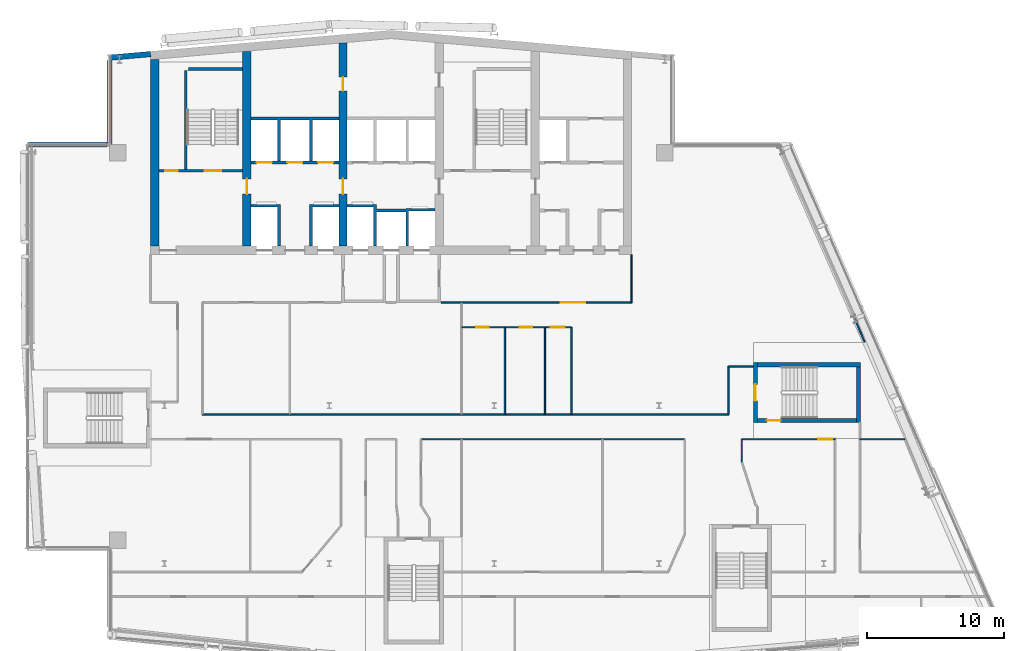
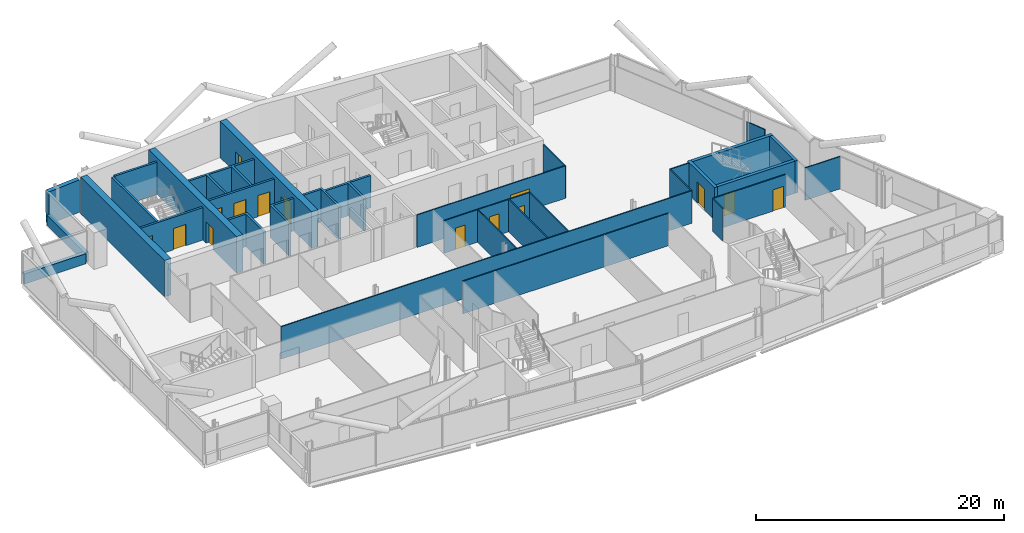
# One storey, part 18 of 27: 32 walls, 15 doors, 15 openings.
"""IFC4 building model written with IfcOpenShell, lengths in metres."""

from ifc_helpers import new_model, si_unit, direction, frame, frame_2d, origin, place, context, subcontext, project, spatial, polyline, rectangle, outline, extrude, material, layer, layer_set, type_object, element, fill, save


model = new_model("IFC4")

# Units and contexts
model_context = context("Model", 3, precision=1e-05, world=origin(), true_north=direction((0.0, 1.0)))
body_context = subcontext(model_context, "Body", "Model", "MODEL_VIEW")
ifc_project = project(units=[si_unit("LENGTHUNIT", "METRE"), si_unit("AREAUNIT", "SQUARE_METRE"), si_unit("VOLUMEUNIT", "CUBIC_METRE"), si_unit("PLANEANGLEUNIT", "RADIAN"), si_unit("MASSUNIT", "GRAM", prefix="KILO")], contexts=[model_context])

# Site, building, storey
site_placement = place(None, origin())
site = spatial("IfcSite", under=ifc_project, at=site_placement, CompositionType="ELEMENT")
building_placement = place(site_placement, origin())
building = spatial("IfcBuilding", under=site, at=building_placement, Name="Wharfspan Tower", CompositionType="ELEMENT")
storey_placement = place(building_placement, frame((0.0, 0.0, 243.100098)))
storey = spatial("IfcBuildingStorey", under=building, at=storey_placement, Name="L61", CompositionType="ELEMENT", Elevation=243.100098)

# Walls
ifc_material_1 = material(Name="Gypsum board on steel studs", Category="steel")
ifc_layer_1 = layer(ifc_material_1, 0.100098)
ifc_layer_set_1 = layer_set([ifc_layer_1], Name="Gypsum board on steel studs")
wall_type_1 = type_object("IfcWallType", Name="Compartment wall 100 EI 60", PredefinedType="PARTITIONING", material=ifc_layer_set_1)
wall_1_placement = place(storey_placement, frame((26.77002, 22.360107, 0.0), z_axis=(0.0, 0.0, 1.0), x_axis=(1.0, 0.0, 0.0)))
element("IfcWall", 1, at=wall_1_placement, inside=storey, type_object=wall_type_1, Name="Partition L61.w012", PredefinedType="PARTITIONING", context=body_context, shape_type="SweptSolid", body=[
    extrude(rectangle(XDim=38.300049, YDim=0.100098, at=frame_2d((19.149902, 0.0))), origin(), (0.0, 0.0, 1.0), 3.199951),
])
wall_2_placement = place(storey_placement, frame((42.679932, 20.554932, 0.0), z_axis=(0.0, 0.0, 1.0), x_axis=(1.0, 0.0, 0.0)))
element("IfcWall", 2, at=wall_2_placement, inside=storey, type_object=wall_type_1, Name="Partition L61.w027", PredefinedType="PARTITIONING", context=body_context, shape_type="SweptSolid", body=[
    extrude(rectangle(XDim=19.190186, YDim=0.100098, at=frame_2d((9.595215, 0.0))), origin(), (0.0, 0.0, 1.0), 3.199951),
])
for number, where, z_axis, x_axis, name in (
    (3, (48.784912, 22.360107, 0.0), (0.0, 0.0, 1.0), (0.0, 1.0, 0.0), "Partition L61.w035"),
    (4, (51.705078, 22.360107, 0.0), (0.0, 0.0, 1.0), (0.0, 1.0, 0.0), "Partition L61.w037"),
    (5, (53.625, 22.360107, 0.0), (0.0, 0.0, 1.0), (0.0, 1.0, 0.0), "Partition L61.w038"),
):
    element("IfcWall", number, at=place(storey_placement, frame(where, z_axis=z_axis, x_axis=x_axis)), inside=storey, type_object=wall_type_1, Name=name, PredefinedType="PARTITIONING", context=body_context, shape_type="SweptSolid", body=[
        extrude(rectangle(XDim=6.339844, YDim=0.100098, at=frame_2d((3.169922, 0.0))), origin(), (0.0, 0.0, 1.0), 3.199951),
    ])
wall_3_placement = place(storey_placement, frame((58.0, 30.5, 0.0), z_axis=(0.0, 0.0, 1.0), x_axis=(0.0, 1.0, 0.0)))
element("IfcWall", 6, at=wall_3_placement, inside=storey, type_object=wall_type_1, Name="Partition L61.w040", PredefinedType="PARTITIONING", context=body_context, shape_type="SweptSolid", body=[
    extrude(rectangle(XDim=3.47998, YDim=0.100098, at=frame_2d((1.73999, 0.0))), origin(), (0.0, 0.0, 1.0), 3.199951),
])
wall_4_placement = place(storey_placement, frame((65.070068, 22.360107, 0.0), z_axis=(0.0, 0.0, 1.0), x_axis=(0.0, 1.0, 0.0)))
element("IfcWall", 7, at=wall_4_placement, inside=storey, type_object=wall_type_1, Name="Partition L61.w047", PredefinedType="PARTITIONING", context=body_context, shape_type="SweptSolid", body=[
    extrude(rectangle(XDim=3.494873, YDim=0.100098, at=frame_2d((1.747559, 0.0))), origin(), (0.0, 0.0, 1.0), 3.199951),
])
wall_5_placement = place(storey_placement, frame((65.070068, 25.85498, 0.0), z_axis=(0.0, 0.0, 1.0), x_axis=(1.0, 0.0, 0.0)))
element("IfcWall", 8, at=wall_5_placement, inside=storey, type_object=wall_type_1, Name="Partition L61.w048", PredefinedType="PARTITIONING", context=body_context, shape_type="SweptSolid", body=[
    extrude(rectangle(XDim=1.779541, YDim=0.100098, at=frame_2d((0.889648, 0.0))), origin(), (0.0, 0.0, 1.0), 3.199951),
])
wall_6_placement = place(storey_placement, frame((66.02002, 18.915039, 0.0), z_axis=(0.0, 0.0, 1.0), x_axis=(0.0, 1.0, 0.0)))
element("IfcWall", 9, at=wall_6_placement, inside=storey, type_object=wall_type_1, Name="Partition L61.w049", PredefinedType="PARTITIONING", context=body_context, shape_type="SweptSolid", body=[
    extrude(rectangle(XDim=1.639893, YDim=0.100098, at=frame_2d((0.819824, 0.0))), origin(), (0.0, 0.0, 1.0), 3.199951),
])

# Wall, opening, door
wall_7_placement = place(storey_placement, frame((66.02002, 20.554932, 0.0), z_axis=(0.0, 0.0, 1.0), x_axis=(1.0, 0.0, 0.0)))
wall_7 = element("IfcWall", 10, at=wall_7_placement, inside=storey, type_object=wall_type_1, Name="Partition L61.w050", PredefinedType="PARTITIONING", context=body_context, shape_type="SweptSolid", body=[
    extrude(rectangle(XDim=6.794922, YDim=0.100098, at=frame_2d((3.397461, 0.0))), origin(), (0.0, 0.0, 1.0), 3.199951),
])
opening_1_placement = place(wall_7_placement, frame((5.583496, 0.0, 0.0)))
opening_1 = element("IfcOpeningElement", 11, at=opening_1_placement, cuts=wall_7, Name="Opening D5-14", PredefinedType="OPENING", context=body_context, shape_type="SweptSolid", body=[
    extrude(rectangle(XDim=1.0, YDim=2.100098, at=frame_2d((0.5, 1.050049))), frame((0.0, 0.060059, 0.0), z_axis=(0.0, -1.0, 0.0), x_axis=(1.0, 0.0, 0.0)), (0.0, 0.0, 1.0), 0.120117),
])
ifc_material_2 = material(Name="Fire-rated timber door leaf in steel frame", Category="steel")
door_type_1 = type_object("IfcDoorType", Name="Door 1000 FD30S Right", OperationType="SINGLE_SWING_RIGHT", PredefinedType="DOOR", material=ifc_material_2)
door_1_placement = place(opening_1_placement, origin())
door_1 = element("IfcDoor", 12, at=door_1_placement, inside=storey, type_object=door_type_1, Name="Door D5-14", OperationType="SINGLE_SWING_RIGHT", OverallHeight=2.100098, OverallWidth=1.0, PredefinedType="DOOR", context=body_context, shape_type="SweptSolid", body=[
    extrude(rectangle(XDim=1.0, YDim=2.100098, at=frame_2d((0.5, 1.050049))), frame((0.0, 0.024902, 0.0), z_axis=(0.0, -1.0, 0.0), x_axis=(1.0, 0.0, 0.0)), (0.0, 0.0, 1.0), 0.050049),
])
fill(opening_1, door_1)

# Wall
wall_8_placement = place(storey_placement, frame((74.620117, 20.554932, 0.0), z_axis=(0.0, 0.0, 1.0), x_axis=(1.0, 0.0, 0.0)))
element("IfcWall", 13, at=wall_8_placement, inside=storey, type_object=wall_type_1, Name="Partition L61.w063", PredefinedType="PARTITIONING", context=body_context, shape_type="SweptSolid", body=[
    extrude(rectangle(XDim=3.259766, YDim=0.100098, at=frame_2d((1.629883, 0.0))), origin(), (0.0, 0.0, 1.0), 3.199951),
])

# Wall, opening, door
wall_9_placement = place(storey_placement, frame((44.149902, 30.5, 0.0), z_axis=(0.0, 0.0, 1.0), x_axis=(1.0, 0.0, 0.0)))
wall_9 = element("IfcWall", 14, at=wall_9_placement, inside=storey, type_object=wall_type_1, Name="Partition L61.w013 (3)", PredefinedType="PARTITIONING", context=body_context, shape_type="SweptSolid", body=[
    extrude(rectangle(XDim=13.850098, YDim=0.100098, at=frame_2d((6.925049, 0.0))), origin(), (0.0, 0.0, 1.0), 3.199951),
])
opening_2_placement = place(wall_9_placement, frame((8.695068, 0.0, 0.0)))
opening_2 = element("IfcOpeningElement", 15, at=opening_2_placement, cuts=wall_9, Name="Opening D5-21", PredefinedType="OPENING", context=body_context, shape_type="SweptSolid", body=[
    extrude(rectangle(XDim=1.800049, YDim=2.100098, at=frame_2d((0.899902, 1.050049))), frame((0.0, 0.060059, 0.0), z_axis=(0.0, -1.0, 0.0), x_axis=(1.0, 0.0, 0.0)), (0.0, 0.0, 1.0), 0.120117),
])
door_type_2 = type_object("IfcDoorType", Name="Door 1800 FD30S Double", OperationType="DOUBLE_DOOR_SINGLE_SWING", PredefinedType="DOOR", material=ifc_material_2)
door_2_placement = place(opening_2_placement, origin())
door_2 = element("IfcDoor", 16, at=door_2_placement, inside=storey, type_object=door_type_2, Name="Door D5-21", OperationType="DOUBLE_DOOR_SINGLE_SWING", OverallHeight=2.100098, OverallWidth=1.800049, PredefinedType="DOOR", context=body_context, shape_type="SweptSolid", body=[
    extrude(rectangle(XDim=1.800049, YDim=2.100098, at=frame_2d((0.899902, 1.050049))), frame((0.0, 0.024902, 0.0), z_axis=(0.0, -1.0, 0.0), x_axis=(1.0, 0.0, 0.0)), (0.0, 0.0, 1.0), 0.050049),
])
fill(opening_2, door_2)

# Wall
ifc_material_3 = material(Name="Concrete C50/60", Category="concrete")
ifc_layer_2 = layer(ifc_material_3, 0.600098)
ifc_layer_set_2 = layer_set([ifc_layer_2], Name="Concrete C50/60")
wall_type_2 = type_object("IfcWallType", Name="Core wall 600 C50/60", PredefinedType="SHEAR", material=ifc_layer_set_2)
wall_10_placement = place(storey_placement, frame((23.300049, 34.600098, 0.0), z_axis=(0.0, 0.0, 1.0), x_axis=(0.0, 1.0, 0.0)))
element("IfcWall", 17, at=wall_10_placement, inside=storey, type_object=wall_type_2, Name="Core cross wall EW0 L61", PredefinedType="SHEAR", context=body_context, shape_type="SweptSolid", body=[
    extrude(rectangle(XDim=13.584961, YDim=0.600098, at=frame_2d((6.79248, 0.0))), origin(), (0.0, 0.0, 1.0), 3.599854),
])

# Wall, opening, door
wall_11_placement = place(storey_placement, frame((30.0, 34.600098, 0.0), z_axis=(0.0, 0.0, 1.0), x_axis=(0.0, 1.0, 0.0)))
wall_11 = element("IfcWall", 18, at=wall_11_placement, inside=storey, type_object=wall_type_2, Name="Core cross wall X3 L61", PredefinedType="SHEAR", context=body_context, shape_type="SweptSolid", body=[
    extrude(rectangle(XDim=14.171143, YDim=0.600098, at=frame_2d((7.085449, 0.0))), origin(), (0.0, 0.0, 1.0), 3.599854),
])
opening_3_placement = place(wall_11_placement, frame((3.800049, 0.0, 0.0)))
opening_3 = element("IfcOpeningElement", 19, at=opening_3_placement, cuts=wall_11, Name="Opening CC61.3", PredefinedType="OPENING", context=body_context, shape_type="SweptSolid", body=[
    extrude(rectangle(XDim=1.100098, YDim=2.100098, at=frame_2d((0.550049, 1.050049))), frame((0.0, 0.310059, 0.0), z_axis=(0.0, -1.0, 0.0), x_axis=(1.0, 0.0, 0.0)), (0.0, 0.0, 1.0), 0.620117),
])
ifc_material_4 = material(Name="Steel door leaf", Category="steel")
door_type_3 = type_object("IfcDoorType", Name="Core corridor door 1100x2100", OperationType="SINGLE_SWING_LEFT", PredefinedType="DOOR", material=ifc_material_4)
door_3_placement = place(opening_3_placement, origin())
door_3 = element("IfcDoor", 20, at=door_3_placement, inside=storey, type_object=door_type_3, Name="xd:L61:3", OperationType="SINGLE_SWING_LEFT", OverallHeight=2.100098, OverallWidth=1.100098, PredefinedType="DOOR", context=body_context, shape_type="SweptSolid", body=[
    extrude(rectangle(XDim=1.100098, YDim=2.100098, at=frame_2d((0.550049, 1.050049))), frame((0.0, 0.024902, 0.0), z_axis=(0.0, -1.0, 0.0), x_axis=(1.0, 0.0, 0.0)), (0.0, 0.0, 1.0), 0.050049),
])
fill(opening_3, door_3)

# Wall, openings, doors
wall_12_placement = place(storey_placement, frame((37.0, 34.600098, 0.0), z_axis=(0.0, 0.0, 1.0), x_axis=(0.0, 1.0, 0.0)))
wall_12 = element("IfcWall", 21, at=wall_12_placement, inside=storey, type_object=wall_type_2, Name="Core cross wall X4 L61", PredefinedType="SHEAR", context=body_context, shape_type="SweptSolid", body=[
    extrude(rectangle(XDim=14.783691, YDim=0.600098, at=frame_2d((7.391846, 0.0))), origin(), (0.0, 0.0, 1.0), 3.599854),
])
opening_4_placement = place(wall_12_placement, frame((11.302002, 0.0, 0.0)))
opening_4 = element("IfcOpeningElement", 22, at=opening_4_placement, cuts=wall_12, Name="Opening CD61.3X", PredefinedType="OPENING", context=body_context, shape_type="SweptSolid", body=[
    extrude(rectangle(XDim=1.0, YDim=2.100098, at=frame_2d((0.5, 1.050049))), frame((0.0, 0.310059, 0.0), z_axis=(0.0, -1.0, 0.0), x_axis=(1.0, 0.0, 0.0)), (0.0, 0.0, 1.0), 0.620117),
])
opening_5_placement = place(wall_12_placement, frame((3.800049, 0.0, 0.0)))
opening_5 = element("IfcOpeningElement", 23, at=opening_5_placement, cuts=wall_12, Name="Opening CC61.4", PredefinedType="OPENING", context=body_context, shape_type="SweptSolid", body=[
    extrude(rectangle(XDim=1.100098, YDim=2.100098, at=frame_2d((0.550049, 1.050049))), frame((0.0, 0.310059, 0.0), z_axis=(0.0, -1.0, 0.0), x_axis=(1.0, 0.0, 0.0)), (0.0, 0.0, 1.0), 0.620117),
])
door_4_placement = place(opening_5_placement, origin())
door_4 = element("IfcDoor", 24, at=door_4_placement, inside=storey, type_object=door_type_3, Name="xd:L61:4", OperationType="SINGLE_SWING_RIGHT", OverallHeight=2.100098, OverallWidth=1.100098, PredefinedType="DOOR", context=body_context, shape_type="SweptSolid", body=[
    extrude(rectangle(XDim=1.100098, YDim=2.100098, at=frame_2d((0.550049, 1.050049))), frame((0.0, 0.024902, 0.0), z_axis=(0.0, -1.0, 0.0), x_axis=(1.0, 0.0, 0.0)), (0.0, 0.0, 1.0), 0.050049),
])
fill(opening_5, door_4)
door_type_4 = type_object("IfcDoorType", Name="Core room door 1000x2100", OperationType="SINGLE_SWING_LEFT", PredefinedType="DOOR", material=ifc_material_4)
door_5_placement = place(opening_4_placement, origin())
door_5 = element("IfcDoor", 25, at=door_5_placement, inside=storey, type_object=door_type_4, Name="d:L61:3:sx", OperationType="SINGLE_SWING_LEFT", OverallHeight=2.100098, OverallWidth=1.0, PredefinedType="DOOR", context=body_context, shape_type="SweptSolid", body=[
    extrude(rectangle(XDim=1.0, YDim=2.100098, at=frame_2d((0.5, 1.050049))), frame((0.0, 0.024902, 0.0), z_axis=(0.0, -1.0, 0.0), x_axis=(1.0, 0.0, 0.0)), (0.0, 0.0, 1.0), 0.050049),
])
fill(opening_4, door_5)

ifc_material_5 = material(Name="Concrete C30/37", Category="concrete")
ifc_layer_3 = layer(ifc_material_5, 0.199951)
ifc_layer_set_3 = layer_set([ifc_layer_3], Name="Concrete C30/37")
wall_type_3 = type_object("IfcWallType", Name="Lift shaft wall 200", PredefinedType="PARTITIONING", material=ifc_layer_set_3)
wall_13_placement = place(storey_placement, frame((30.300049, 40.699951, 0.0), z_axis=(0.0, 0.0, 1.0), x_axis=(1.0, 0.0, 0.0)))
wall_13 = element("IfcWall", 26, at=wall_13_placement, inside=storey, type_object=wall_type_3, Name="sw:L61:RF3", PredefinedType="PARTITIONING", context=body_context, shape_type="SweptSolid", body=[
    extrude(rectangle(XDim=6.399902, YDim=0.199951, at=frame_2d((3.199951, 0.0))), origin(), (0.0, 0.0, 1.0), 3.199951),
])
opening_6_placement = place(wall_13_placement, frame((0.416748, 0.0, 0.0)))
opening_6 = element("IfcOpeningElement", 27, at=opening_6_placement, cuts=wall_13, Name="Opening LD.LB1.L61", PredefinedType="OPENING", context=body_context, shape_type="SweptSolid", body=[
    extrude(rectangle(XDim=1.100098, YDim=2.100098, at=frame_2d((0.550049, 1.050049))), frame((0.0, 0.109863, 0.0), z_axis=(0.0, -1.0, 0.0), x_axis=(1.0, 0.0, 0.0)), (0.0, 0.0, 1.0), 0.219971),
])
opening_7_placement = place(wall_13_placement, frame((2.649902, 0.0, 0.0)))
opening_7 = element("IfcOpeningElement", 28, at=opening_7_placement, cuts=wall_13, Name="Opening LD.LB2.L61", PredefinedType="OPENING", context=body_context, shape_type="SweptSolid", body=[
    extrude(rectangle(XDim=1.100098, YDim=2.100098, at=frame_2d((0.550049, 1.050049))), frame((0.0, 0.109863, 0.0), z_axis=(0.0, -1.0, 0.0), x_axis=(1.0, 0.0, 0.0)), (0.0, 0.0, 1.0), 0.219971),
])
opening_8_placement = place(wall_13_placement, frame((4.883301, 0.0, 0.0)))
opening_8 = element("IfcOpeningElement", 29, at=opening_8_placement, cuts=wall_13, Name="Opening LD.LB3.L61", PredefinedType="OPENING", context=body_context, shape_type="SweptSolid", body=[
    extrude(rectangle(XDim=1.100098, YDim=2.100098, at=frame_2d((0.550049, 1.050049))), frame((0.0, 0.109863, 0.0), z_axis=(0.0, -1.0, 0.0), x_axis=(1.0, 0.0, 0.0)), (0.0, 0.0, 1.0), 0.219971),
])
ifc_material_6 = material(Name="Stainless steel", Category="steel")
door_type_5 = type_object("IfcDoorType", Name="Lift landing door 1100x2100", OperationType="DOUBLE_DOOR_SLIDING", PredefinedType="DOOR", material=ifc_material_6)
door_6_placement = place(opening_6_placement, origin())
door_6 = element("IfcDoor", 30, at=door_6_placement, inside=storey, type_object=door_type_5, Name="Landing door LB1 L61", OperationType="DOUBLE_DOOR_SLIDING", OverallHeight=2.100098, OverallWidth=1.100098, PredefinedType="DOOR", context=body_context, shape_type="SweptSolid", body=[
    extrude(rectangle(XDim=1.100098, YDim=2.100098, at=frame_2d((0.550049, 1.050049))), frame((0.0, 0.024902, 0.0), z_axis=(0.0, -1.0, 0.0), x_axis=(1.0, 0.0, 0.0)), (0.0, 0.0, 1.0), 0.050049),
])
fill(opening_6, door_6)
door_7_placement = place(opening_7_placement, origin())
door_7 = element("IfcDoor", 31, at=door_7_placement, inside=storey, type_object=door_type_5, Name="Landing door LB2 L61", OperationType="DOUBLE_DOOR_SLIDING", OverallHeight=2.100098, OverallWidth=1.100098, PredefinedType="DOOR", context=body_context, shape_type="SweptSolid", body=[
    extrude(rectangle(XDim=1.100098, YDim=2.100098, at=frame_2d((0.550049, 1.050049))), frame((0.0, 0.024902, 0.0), z_axis=(0.0, -1.0, 0.0), x_axis=(1.0, 0.0, 0.0)), (0.0, 0.0, 1.0), 0.050049),
])
fill(opening_7, door_7)
door_8_placement = place(opening_8_placement, origin())
door_8 = element("IfcDoor", 32, at=door_8_placement, inside=storey, type_object=door_type_5, Name="Landing door LB3 L61", OperationType="DOUBLE_DOOR_SLIDING", OverallHeight=2.100098, OverallWidth=1.100098, PredefinedType="DOOR", context=body_context, shape_type="SweptSolid", body=[
    extrude(rectangle(XDim=1.100098, YDim=2.100098, at=frame_2d((0.550049, 1.050049))), frame((0.0, 0.024902, 0.0), z_axis=(0.0, -1.0, 0.0), x_axis=(1.0, 0.0, 0.0)), (0.0, 0.0, 1.0), 0.050049),
])
fill(opening_8, door_8)

# Walls
wall_14_placement = place(storey_placement, frame((0.0, 0.0, -0.000244)))
element("IfcWall", 33, at=wall_14_placement, inside=storey, type_object=wall_type_3, Name="sw:L61:FM3.0", PredefinedType="PARTITIONING", context=body_context, shape_type="SweptSolid", body=[
    extrude(outline(polyline([(32.233398, 37.449951), (30.300049, 37.449951), (30.300049, 37.649902), (32.233398, 37.649902), (32.43335, 37.649902), (32.43335, 34.600098), (32.233398, 34.600098), (32.233398, 37.449951)])), origin(), (0.0, 0.0, 1.0), 3.200195),
])
wall_15_placement = place(storey_placement, frame((0.0, 0.0, -0.000244)))
element("IfcWall", 34, at=wall_15_placement, inside=storey, type_object=wall_type_3, Name="sw:L61:FM3.1", PredefinedType="PARTITIONING", context=body_context, shape_type="SweptSolid", body=[
    extrude(outline(polyline([(34.56665, 37.649902), (34.766602, 37.649902), (36.699951, 37.649902), (36.699951, 37.449951), (34.766602, 37.449951), (34.766602, 34.600098), (34.56665, 34.600098), (34.56665, 37.649902)])), origin(), (0.0, 0.0, 1.0), 3.200195),
])
wall_16_placement = place(storey_placement, frame((0.0, 0.0, -0.000244)))
element("IfcWall", 35, at=wall_16_placement, inside=storey, type_object=wall_type_3, Name="sw:L61:RM3.0", PredefinedType="PARTITIONING", context=body_context, shape_type="SweptSolid", body=[
    extrude(outline(polyline([(32.43335, 40.800049), (32.233398, 40.800049), (32.233398, 43.800049), (30.300049, 43.800049), (30.300049, 44.0), (36.699951, 44.0), (36.699951, 43.800049), (34.766602, 43.800049), (34.766602, 40.800049), (34.56665, 40.800049), (34.56665, 43.800049), (32.43335, 43.800049), (32.43335, 40.800049)])), origin(), (0.0, 0.0, 1.0), 3.200195),
])
wall_17_placement = place(storey_placement, frame((0.0, 0.0, -0.000244)))
element("IfcWall", 36, at=wall_17_placement, inside=storey, type_object=wall_type_3, Name="sw:L61:FM4.0", PredefinedType="PARTITIONING", context=body_context, shape_type="SweptSolid", body=[
    extrude(outline(polyline([(41.56665, 37.100098), (39.43335, 37.100098), (39.43335, 34.600098), (39.233398, 34.600098), (39.233398, 37.449951), (37.300049, 37.449951), (37.300049, 37.649902), (39.233398, 37.649902), (39.43335, 37.649902), (39.43335, 37.300049), (41.56665, 37.300049), (41.56665, 37.350098), (41.766602, 37.350098), (43.699951, 37.350098), (43.699951, 37.149902), (41.766602, 37.149902), (41.766602, 34.600098), (41.56665, 34.600098), (41.56665, 37.100098)])), origin(), (0.0, 0.0, 1.0), 3.200195),
])

# Wall, openings, doors
ifc_layer_4 = layer(ifc_material_1, 0.100098)
ifc_layer_set_4 = layer_set([ifc_layer_4], Name="Gypsum board on steel studs")
wall_type_4 = type_object("IfcWallType", Name="Partition 100", PredefinedType="PARTITIONING", material=ifc_layer_set_4)
wall_18_placement = place(storey_placement, frame((45.625, 28.699951, 0.0), z_axis=(0.0, 0.0, 1.0), x_axis=(1.0, 0.0, 0.0)))
wall_18 = element("IfcWall", 37, at=wall_18_placement, inside=storey, type_object=wall_type_4, Name="Partition L61.w034", PredefinedType="PARTITIONING", context=body_context, shape_type="SweptSolid", body=[
    extrude(rectangle(XDim=8.0, YDim=0.100098, at=frame_2d((4.0, 0.0))), origin(), (0.0, 0.0, 1.0), 3.199951),
])
opening_9_placement = place(wall_18_placement, frame((1.070068, 0.0, 0.0)))
opening_9 = element("IfcOpeningElement", 38, at=opening_9_placement, cuts=wall_18, Name="Opening D5-15", PredefinedType="OPENING", context=body_context, shape_type="SweptSolid", body=[
    extrude(rectangle(XDim=0.899902, YDim=2.100098, at=frame_2d((0.449951, 1.050049))), frame((0.0, 0.060059, 0.0), z_axis=(0.0, -1.0, 0.0), x_axis=(1.0, 0.0, 0.0)), (0.0, 0.0, 1.0), 0.120117),
])
opening_10_placement = place(wall_18_placement, frame((4.22998, 0.0, 0.0)))
opening_10 = element("IfcOpeningElement", 39, at=opening_10_placement, cuts=wall_18, Name="Opening D5-16", PredefinedType="OPENING", context=body_context, shape_type="SweptSolid", body=[
    extrude(rectangle(XDim=0.899902, YDim=2.100098, at=frame_2d((0.449951, 1.050049))), frame((0.0, 0.060059, 0.0), z_axis=(0.0, -1.0, 0.0), x_axis=(1.0, 0.0, 0.0)), (0.0, 0.0, 1.0), 0.120117),
])
opening_11_placement = place(wall_18_placement, frame((6.5, 0.0, 0.0)))
opening_11 = element("IfcOpeningElement", 40, at=opening_11_placement, cuts=wall_18, Name="Opening D5-17", PredefinedType="OPENING", context=body_context, shape_type="SweptSolid", body=[
    extrude(rectangle(XDim=1.0, YDim=2.100098, at=frame_2d((0.5, 1.050049))), frame((0.0, 0.060059, 0.0), z_axis=(0.0, -1.0, 0.0), x_axis=(1.0, 0.0, 0.0)), (0.0, 0.0, 1.0), 0.120117),
])
ifc_material_7 = material(Name="Timber door leaf in steel frame", Category="steel")
door_type_6 = type_object("IfcDoorType", Name="Door 1000 NOT RATED Right", OperationType="SINGLE_SWING_RIGHT", PredefinedType="DOOR", material=ifc_material_7)
door_9_placement = place(opening_11_placement, origin())
door_9 = element("IfcDoor", 41, at=door_9_placement, inside=storey, type_object=door_type_6, Name="Door D5-17", OperationType="SINGLE_SWING_RIGHT", OverallHeight=2.100098, OverallWidth=1.0, PredefinedType="DOOR", context=body_context, shape_type="SweptSolid", body=[
    extrude(rectangle(XDim=1.0, YDim=2.100098, at=frame_2d((0.5, 1.050049))), frame((0.0, 0.024902, 0.0), z_axis=(0.0, -1.0, 0.0), x_axis=(1.0, 0.0, 0.0)), (0.0, 0.0, 1.0), 0.050049),
])
fill(opening_11, door_9)
door_type_7 = type_object("IfcDoorType", Name="Door 900 NOT RATED Left", OperationType="SINGLE_SWING_LEFT", PredefinedType="DOOR", material=ifc_material_7)
door_10_placement = place(opening_9_placement, origin())
door_10 = element("IfcDoor", 42, at=door_10_placement, inside=storey, type_object=door_type_7, Name="Door D5-15", OperationType="SINGLE_SWING_LEFT", OverallHeight=2.100098, OverallWidth=0.899902, PredefinedType="DOOR", context=body_context, shape_type="SweptSolid", body=[
    extrude(rectangle(XDim=0.899902, YDim=2.100098, at=frame_2d((0.449951, 1.050049))), frame((0.0, 0.024902, 0.0), z_axis=(0.0, -1.0, 0.0), x_axis=(1.0, 0.0, 0.0)), (0.0, 0.0, 1.0), 0.050049),
])
fill(opening_9, door_10)
door_type_8 = type_object("IfcDoorType", Name="Door 900 NOT RATED Right", OperationType="SINGLE_SWING_RIGHT", PredefinedType="DOOR", material=ifc_material_7)
door_11_placement = place(opening_10_placement, origin())
door_11 = element("IfcDoor", 43, at=door_11_placement, inside=storey, type_object=door_type_8, Name="Door D5-16", OperationType="SINGLE_SWING_RIGHT", OverallHeight=2.100098, OverallWidth=0.899902, PredefinedType="DOOR", context=body_context, shape_type="SweptSolid", body=[
    extrude(rectangle(XDim=0.899902, YDim=2.100098, at=frame_2d((0.449951, 1.050049))), frame((0.0, 0.024902, 0.0), z_axis=(0.0, -1.0, 0.0), x_axis=(1.0, 0.0, 0.0)), (0.0, 0.0, 1.0), 0.050049),
])
fill(opening_10, door_11)

# Walls
wall_19_placement = place(storey_placement, frame((74.961914, 27.620117, 0.0), z_axis=(0.0, 0.0, 1.0), x_axis=(-0.381293, 0.924452, 0.0)))
element("IfcWall", 44, at=wall_19_placement, inside=storey, type_object=wall_type_4, Name="Partition L61.w064", PredefinedType="PARTITIONING", context=body_context, shape_type="SweptSolid", body=[
    extrude(rectangle(XDim=1.828125, YDim=0.100098, at=frame_2d((0.914062, 0.0))), origin(), (0.0, 0.0, 1.0), 2.579834),
])
ifc_material_8 = material(Name="Concrete C40/50", Category="concrete")
ifc_layer_5 = layer(ifc_material_8, 0.350098)
ifc_layer_set_5 = layer_set([ifc_layer_5], Name="Concrete C40/50")
wall_type_5 = type_object("IfcWallType", Name="SPANDREL EXPOSED CONCRETE 350", PredefinedType="SOLIDWALL", material=ifc_layer_set_5)
wall_20_placement = place(storey_placement, frame((19.995117, 48.126465, 0.0), z_axis=(0.0, 0.0, 1.0), x_axis=(0.0, -1.0, 0.0)))
element("IfcWall", 45, at=wall_20_placement, inside=storey, type_object=wall_type_5, Name="Spandrel upstand L61 NRW-V", PredefinedType="SOLIDWALL", context=body_context, shape_type="SweptSolid", body=[
    extrude(rectangle(XDim=6.126465, YDim=0.350098, at=frame_2d((3.063232, 0.0))), origin(), (0.0, 0.0, 1.0), 1.0),
])
wall_21_placement = place(storey_placement, frame((19.820068, 42.004883, 0.0), z_axis=(0.0, 0.0, 1.0), x_axis=(-1.0, 0.0, 0.0)))
element("IfcWall", 46, at=wall_21_placement, inside=storey, type_object=wall_type_5, Name="Spandrel upstand L61 NRW-H", PredefinedType="SOLIDWALL", context=body_context, shape_type="SweptSolid", body=[
    extrude(rectangle(XDim=5.699951, YDim=0.350098, at=frame_2d((2.850098, 0.0))), origin(), (0.0, 0.0, 1.0), 1.0),
])

# Wall, opening, door
ifc_layer_6 = layer(ifc_material_8, 0.300049)
ifc_layer_set_6 = layer_set([ifc_layer_6], Name="Concrete C40/50")
wall_type_6 = type_object("IfcWallType", Name="Stair core wall 300", PredefinedType="SHEAR", material=ifc_layer_set_6)
wall_22_placement = place(storey_placement, frame((67.019531, 21.774902, 0.0), z_axis=(0.0, 0.0, 1.0), x_axis=(0.0, 1.0, 0.0)))
wall_22 = element("IfcWall", 47, at=wall_22_placement, inside=storey, type_object=wall_type_6, Name="ST6 stair enclosure wall L61", PredefinedType="SHEAR", context=body_context, shape_type="SweptSolid", body=[
    extrude(rectangle(XDim=4.350098, YDim=0.300049, at=frame_2d((2.175049, 0.0))), origin(), (0.0, 0.0, 1.0), 3.199951),
])
opening_12_placement = place(wall_22_placement, frame((1.574951, 0.0, 0.0)))
opening_12 = element("IfcOpeningElement", 48, at=opening_12_placement, cuts=wall_22, Name="Opening SD6.L61", PredefinedType="OPENING", context=body_context, shape_type="SweptSolid", body=[
    extrude(rectangle(XDim=1.199951, YDim=2.100098, at=frame_2d((0.600098, 1.050049))), frame((0.0, 0.159912, 0.0), z_axis=(0.0, -1.0, 0.0), x_axis=(1.0, 0.0, 0.0)), (0.0, 0.0, 1.0), 0.320068),
])
door_type_9 = type_object("IfcDoorType", Name="Stair door 1200x2100", OperationType="SINGLE_SWING_LEFT", PredefinedType="DOOR", material=ifc_material_4)
door_12_placement = place(opening_12_placement, origin())
door_12 = element("IfcDoor", 49, at=door_12_placement, inside=storey, type_object=door_type_9, Name="sd:L61:ST6z4", OperationType="SINGLE_SWING_RIGHT", OverallHeight=2.100098, OverallWidth=1.199951, PredefinedType="DOOR", context=body_context, shape_type="SweptSolid", body=[
    extrude(rectangle(XDim=1.199951, YDim=2.100098, at=frame_2d((0.600098, 1.050049))), frame((0.0, 0.024902, 0.0), z_axis=(0.0, -1.0, 0.0), x_axis=(1.0, 0.0, 0.0)), (0.0, 0.0, 1.0), 0.050049),
])
fill(opening_12, door_12)

wall_23_placement = place(storey_placement, frame((67.169678, 21.925049, 0.0), z_axis=(0.0, 0.0, 1.0), x_axis=(1.0, 0.0, 0.0)))
wall_23 = element("IfcWall", 50, at=wall_23_placement, inside=storey, type_object=wall_type_6, Name="ST6 stair enclosure wall L61", PredefinedType="SHEAR", context=body_context, shape_type="SweptSolid", body=[
    extrude(rectangle(XDim=7.199951, YDim=0.300049, at=frame_2d((3.600098, 0.0))), origin(), (0.0, 0.0, 1.0), 3.199951),
])
opening_13_placement = place(wall_23_placement, frame((0.675049, 0.0, 0.0)))
opening_13 = element("IfcOpeningElement", 51, at=opening_13_placement, cuts=wall_23, Name="Opening SS6S.L61", PredefinedType="OPENING", context=body_context, shape_type="SweptSolid", body=[
    extrude(rectangle(XDim=1.0, YDim=2.100098, at=frame_2d((0.5, 1.050049))), frame((0.0, 0.159912, 0.0), z_axis=(0.0, -1.0, 0.0), x_axis=(1.0, 0.0, 0.0)), (0.0, 0.0, 1.0), 0.320068),
])
door_type_10 = type_object("IfcDoorType", Name="Stair side door 1000x2100", OperationType="SINGLE_SWING_LEFT", PredefinedType="DOOR", material=ifc_material_4)
door_13_placement = place(opening_13_placement, origin())
door_13 = element("IfcDoor", 52, at=door_13_placement, inside=storey, type_object=door_type_10, Name="Stair side door", OperationType="SINGLE_SWING_LEFT", OverallHeight=2.100098, OverallWidth=1.0, PredefinedType="DOOR", context=body_context, shape_type="SweptSolid", body=[
    extrude(rectangle(XDim=1.0, YDim=2.100098, at=frame_2d((0.5, 1.050049))), frame((0.0, 0.024902, 0.0), z_axis=(0.0, -1.0, 0.0), x_axis=(1.0, 0.0, 0.0)), (0.0, 0.0, 1.0), 0.050049),
])
fill(opening_13, door_13)

# Walls
wall_24_placement = place(storey_placement, frame((67.169678, 25.975098, 0.0), z_axis=(0.0, 0.0, 1.0), x_axis=(1.0, 0.0, 0.0)))
element("IfcWall", 53, at=wall_24_placement, inside=storey, type_object=wall_type_6, Name="ST6 stair enclosure wall L61", PredefinedType="SHEAR", context=body_context, shape_type="SweptSolid", body=[
    extrude(rectangle(XDim=7.5, YDim=0.300049, at=frame_2d((3.75, 0.0))), origin(), (0.0, 0.0, 1.0), 3.199951),
])
wall_25_placement = place(storey_placement, frame((74.519531, 21.774902, 0.0), z_axis=(0.0, 0.0, 1.0), x_axis=(0.0, 1.0, 0.0)))
element("IfcWall", 54, at=wall_25_placement, inside=storey, type_object=wall_type_6, Name="ST6 stair enclosure wall L61", PredefinedType="SHEAR", context=body_context, shape_type="SweptSolid", body=[
    extrude(rectangle(XDim=4.050049, YDim=0.300049, at=frame_2d((2.024902, 0.0))), origin(), (0.0, 0.0, 1.0), 3.199951),
])

# Wall, openings, doors
ifc_layer_7 = layer(ifc_material_8, 0.199951)
ifc_layer_set_7 = layer_set([ifc_layer_7], Name="Concrete C40/50")
wall_type_7 = type_object("IfcWallType", Name="Stair shaft wall 200", PredefinedType="SHEAR", material=ifc_layer_set_7)
wall_26_placement = place(storey_placement, frame((23.600098, 40.100098, 0.0), z_axis=(0.0, 0.0, 1.0), x_axis=(1.0, 0.0, 0.0)))
wall_26 = element("IfcWall", 55, at=wall_26_placement, inside=storey, type_object=wall_type_7, Name="ST1 stair enclosure wall L61", PredefinedType="SHEAR", context=body_context, shape_type="SweptSolid", body=[
    extrude(rectangle(XDim=6.099854, YDim=0.199951, at=frame_2d((3.049805, 0.0))), origin(), (0.0, 0.0, 1.0), 3.199951),
])
opening_14_placement = place(wall_26_placement, frame((3.324951, 0.0, 0.0)))
opening_14 = element("IfcOpeningElement", 56, at=opening_14_placement, cuts=wall_26, Name="Opening SD2.L61", PredefinedType="OPENING", context=body_context, shape_type="SweptSolid", body=[
    extrude(rectangle(XDim=1.199951, YDim=2.100098, at=frame_2d((0.600098, 1.050049))), frame((0.0, 0.109863, 0.0), z_axis=(0.0, -1.0, 0.0), x_axis=(1.0, 0.0, 0.0)), (0.0, 0.0, 1.0), 0.219971),
])
opening_15_placement = place(wall_26_placement, frame((0.475098, 0.0, 0.0)))
opening_15 = element("IfcOpeningElement", 57, at=opening_15_placement, cuts=wall_26, Name="Opening CD61.2R", PredefinedType="OPENING", context=body_context, shape_type="SweptSolid", body=[
    extrude(rectangle(XDim=0.899902, YDim=2.100098, at=frame_2d((0.449951, 1.050049))), frame((0.0, 0.109863, 0.0), z_axis=(0.0, -1.0, 0.0), x_axis=(1.0, 0.0, 0.0)), (0.0, 0.0, 1.0), 0.219971),
])
door_14_placement = place(opening_15_placement, origin())
door_14 = element("IfcDoor", 58, at=door_14_placement, inside=storey, type_object=door_type_4, Name="rk:L61:2", OperationType="SINGLE_SWING_LEFT", OverallHeight=2.100098, OverallWidth=0.899902, PredefinedType="DOOR", context=body_context, shape_type="SweptSolid", body=[
    extrude(rectangle(XDim=0.899902, YDim=2.100098, at=frame_2d((0.449951, 1.050049))), frame((0.0, 0.024902, 0.0), z_axis=(0.0, -1.0, 0.0), x_axis=(1.0, 0.0, 0.0)), (0.0, 0.0, 1.0), 0.050049),
])
fill(opening_15, door_14)
door_15_placement = place(opening_14_placement, origin())
door_15 = element("IfcDoor", 59, at=door_15_placement, inside=storey, type_object=door_type_9, Name="sd:L61:2", OperationType="SINGLE_SWING_RIGHT", OverallHeight=2.100098, OverallWidth=1.199951, PredefinedType="DOOR", context=body_context, shape_type="SweptSolid", body=[
    extrude(rectangle(XDim=1.199951, YDim=2.100098, at=frame_2d((0.600098, 1.050049))), frame((0.0, 0.024902, 0.0), z_axis=(0.0, -1.0, 0.0), x_axis=(1.0, 0.0, 0.0)), (0.0, 0.0, 1.0), 0.050049),
])
fill(opening_14, door_15)

# Walls
wall_27_placement = place(storey_placement, frame((25.550049, 40.199951, 0.0), z_axis=(0.0, 0.0, 1.0), x_axis=(0.0, 1.0, 0.0)))
element("IfcWall", 60, at=wall_27_placement, inside=storey, type_object=wall_type_7, Name="ST1 stair enclosure wall L61", PredefinedType="SHEAR", context=body_context, shape_type="SweptSolid", body=[
    extrude(rectangle(XDim=7.199951, YDim=0.199951, at=frame_2d((3.600098, 0.0))), origin(), (0.0, 0.0, 1.0), 3.199951),
])
wall_28_placement = place(storey_placement, frame((25.75, 47.5, 0.0), z_axis=(0.0, 0.0, 1.0), x_axis=(1.0, 0.0, 0.0)))
element("IfcWall", 61, at=wall_28_placement, inside=storey, type_object=wall_type_7, Name="ST1 stair enclosure wall L61", PredefinedType="SHEAR", context=body_context, shape_type="SweptSolid", body=[
    extrude(rectangle(XDim=3.949951, YDim=0.199951, at=frame_2d((1.975098, 0.0))), origin(), (0.0, 0.0, 1.0), 3.199951),
])
ifc_layer_8 = layer(ifc_material_8, 0.399902)
ifc_layer_set_8 = layer_set([ifc_layer_8], Name="Concrete C40/50")
wall_type_8 = type_object("IfcWallType", Name="WALL EXPOSED CONCRETE 400", PredefinedType="SOLIDWALL", material=ifc_layer_set_8)
wall_29_placement = place(storey_placement, frame((23.0, 48.58667, 0.0), z_axis=(0.0, 0.0, 1.0), x_axis=(-0.996194, -0.087168, 0.0)))
element("IfcWall", 62, at=wall_29_placement, inside=storey, type_object=wall_type_8, Name="Rear wall N1", PredefinedType="SOLIDWALL", context=body_context, shape_type="SweptSolid", body=[
    extrude(rectangle(XDim=2.994141, YDim=0.399902, at=frame_2d((1.49707, 0.0))), origin(), (0.0, 0.0, 1.0), 3.199951),
])

save(model, "model.ifc")
